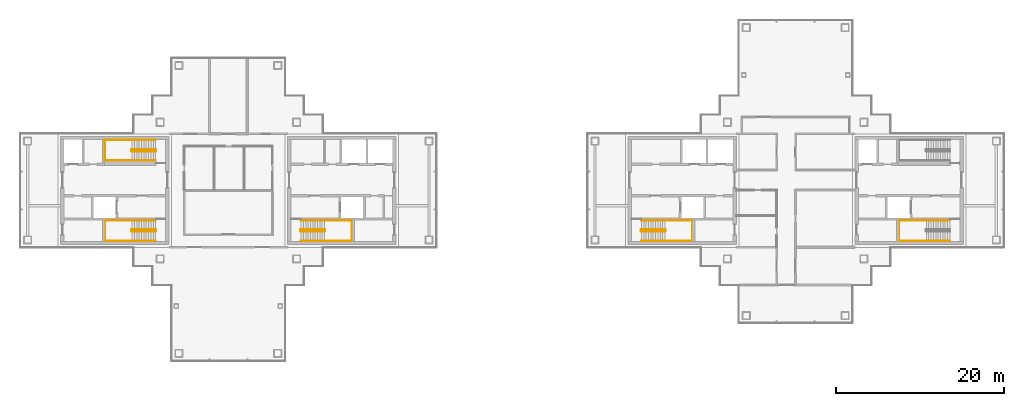
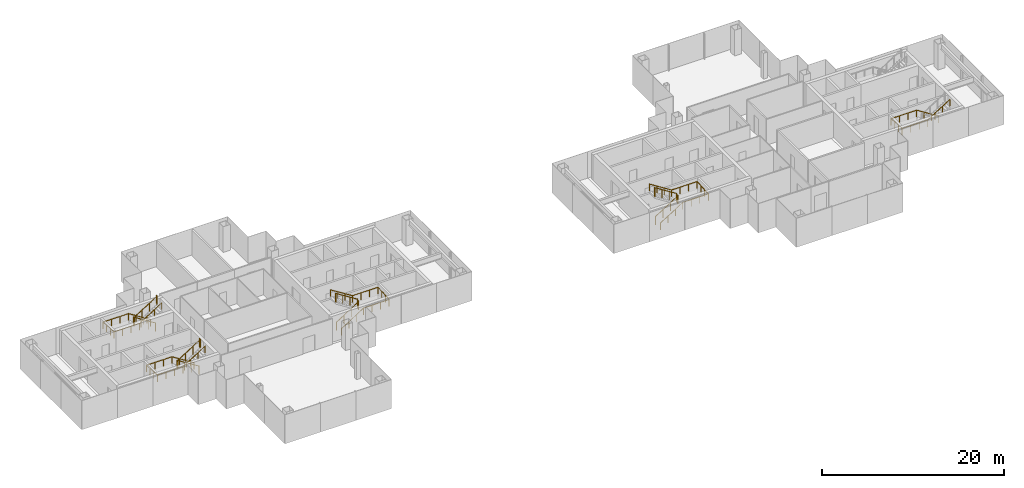
# One storey, part 14 of 15: 9 railings.
"""IFC4 building model written with IfcOpenShell, lengths in metres."""

from ifc_helpers import new_model, si_unit, direction, frame, origin, origin_2d, place, context, subcontext, project, spatial, circle, extrude, material, type_object, element, save


model = new_model("IFC4")

# Units and contexts
model_context = context("Model", 3, precision=1e-05, world=origin(), true_north=direction((0.0, 1.0)))
body_context = subcontext(model_context, "Body", "Model", "MODEL_VIEW")
ifc_project = project(units=[si_unit("LENGTHUNIT", "METRE"), si_unit("AREAUNIT", "SQUARE_METRE"), si_unit("VOLUMEUNIT", "CUBIC_METRE"), si_unit("PLANEANGLEUNIT", "RADIAN"), si_unit("MASSUNIT", "GRAM", prefix="KILO")], contexts=[model_context])

# Site, building, storey
site_placement = place(None, origin())
site = spatial("IfcSite", under=ifc_project, at=site_placement, CompositionType="ELEMENT")
building_placement = place(site_placement, origin())
building = spatial("IfcBuilding", under=site, at=building_placement, Name="Shamsa Quay Exchange Towers", CompositionType="ELEMENT")
storey_placement = place(building_placement, frame((0.0, 0.0, 269.39990234375)))
storey = spatial("IfcBuildingStorey", under=building, at=storey_placement, Name="L65", CompositionType="ELEMENT", Elevation=269.39990234375)

# Railings
ifc_material = material(Name="Stainless steel", Category="steel")
railing_type_1 = type_object("IfcRailingType", Name="STAIR GUARD 1100", PredefinedType="GUARDRAIL", material=ifc_material)
railing_1_placement = place(storey_placement, frame((-25.10009765625, -4.89990234375, 0.177490234375)))
element("IfcRailing", 1, at=railing_1_placement, inside=storey, type_object=railing_type_1, Name="L65 ST1 stair guard 1", PredefinedType="GUARDRAIL", context=body_context, shape_type="SweptSolid", body=[
    extrude(circle(Radius=0.02392578125, at=origin_2d()), frame((0.0, 0.0, 1.076171875), z_axis=(0.844908973607, 0.0, 0.534910110503), x_axis=(0.0, 1.0, 0.0)), (0.0, 0.0, 1.0), 3.31396484375),
    extrude(circle(Radius=0.02392578125, at=origin_2d()), frame((2.800048828125, 0.0, 2.8486328125), z_axis=(0.708833529934, 0.705375805398, 0.0), x_axis=(-0.705375805398, 0.708833529934, 0.0)), (0.0, 0.0, 1.0), 0.070556640625),
    extrude(circle(Radius=0.02392578125, at=origin_2d()), frame((2.85009765625, 0.0498046875, 2.8486328125), z_axis=(0.0, 1.0, 0.0), x_axis=(-1.0, 0.0, 0.0)), (0.0, 0.0, 1.0), 0.150146484375),
    extrude(circle(Radius=0.02392578125, at=origin_2d()), frame((2.85009765625, 0.199951171875, 2.8486328125), z_axis=(-0.262233686654, 0.262233686654, 0.928691007369), x_axis=(-0.707106781187, -0.707106781187, 0.0)), (0.0, 0.0, 1.0), 0.19091796875),
    extrude(circle(Radius=0.02392578125, at=origin_2d()), frame((2.800048828125, 0.25, 3.02587890625), z_axis=(-0.844908973607, 0.0, 0.534910110503), x_axis=(0.0, -1.0, 0.0)), (0.0, 0.0, 1.0), 3.31396484375),
    extrude(circle(Radius=0.02392578125, at=origin_2d()), frame((0.0, 0.25, 4.798828125), z_axis=(-0.24142163986, -0.970420317083, 0.0), x_axis=(0.970420317083, -0.24142163986, 0.0)), (0.0, 0.0, 1.0), 0.206298828125),
    extrude(circle(Radius=0.02392578125, at=origin_2d()), frame((-0.0498046875, 0.0498046875, 4.798828125), z_axis=(0.0, 1.0, 0.0), x_axis=(-1.0, 0.0, 0.0)), (0.0, 0.0, 1.0), 0.150146484375),
    extrude(circle(Radius=0.02099609375, at=origin_2d()), origin(), (0.0, 0.0, 1.0), 1.052001953125),
    extrude(circle(Radius=0.02099609375, at=origin_2d()), frame((0.933349609375, 0.0, 0.5908203125)), (0.0, 0.0, 1.0), 1.052001953125),
    extrude(circle(Radius=0.02099609375, at=origin_2d()), frame((1.86669921875, 0.0, 1.181884765625)), (0.0, 0.0, 1.0), 1.052001953125),
    extrude(circle(Radius=0.02099609375, at=origin_2d()), frame((2.800048828125, 0.0, 1.772705078125)), (0.0, 0.0, 1.0), 1.052001953125),
    extrude(circle(Radius=0.02099609375, at=origin_2d()), frame((2.85009765625, 0.0498046875, 1.772705078125)), (0.0, 0.0, 1.0), 1.052001953125),
    extrude(circle(Radius=0.02099609375, at=origin_2d()), frame((2.85009765625, 0.199951171875, 1.772705078125)), (0.0, 0.0, 1.0), 1.052001953125),
    extrude(circle(Radius=0.02099609375, at=origin_2d()), frame((2.800048828125, 0.25, 1.949951171875)), (0.0, 0.0, 1.0), 1.052001953125),
    extrude(circle(Radius=0.02099609375, at=origin_2d()), frame((1.86669921875, 0.25, 2.540771484375)), (0.0, 0.0, 1.0), 1.052001953125),
    extrude(circle(Radius=0.02099609375, at=origin_2d()), frame((0.933349609375, 0.25, 3.1318359375)), (0.0, 0.0, 1.0), 1.052001953125),
    extrude(circle(Radius=0.02099609375, at=origin_2d()), frame((0.0, 0.25, 3.72265625)), (0.0, 0.0, 1.0), 1.052001953125),
    extrude(circle(Radius=0.02099609375, at=origin_2d()), frame((-0.0498046875, 0.0498046875, 3.72265625)), (0.0, 0.0, 1.0), 1.052001953125),
    extrude(circle(Radius=0.02099609375, at=origin_2d()), frame((-0.0498046875, 0.199951171875, 3.72265625)), (0.0, 0.0, 1.0), 1.052001953125),
])
railing_2_placement = place(storey_placement, frame((-42.39990234375, -4.64990234375, 0.177490234375)))
element("IfcRailing", 2, at=railing_2_placement, inside=storey, type_object=railing_type_1, Name="L65 ST2 stair guard 1", PredefinedType="GUARDRAIL", context=body_context, shape_type="SweptSolid", body=[
    extrude(circle(Radius=0.02392578125, at=origin_2d()), frame((0.0, 0.0, 1.076171875), z_axis=(-0.844908973607, 0.0, 0.534910110503), x_axis=(0.0, -1.0, 0.0)), (0.0, 0.0, 1.0), 3.31396484375),
    extrude(circle(Radius=0.02392578125, at=origin_2d()), frame((-2.800048828125, 0.0, 2.8486328125), z_axis=(-0.707106781187, -0.707106781187, 0.0), x_axis=(0.707106781187, -0.707106781187, 0.0)), (0.0, 0.0, 1.0), 0.07080078125),
    extrude(circle(Radius=0.02392578125, at=origin_2d()), frame((-2.85009765625, -0.050048828125, 2.8486328125), z_axis=(0.0, -1.0, 0.0), x_axis=(1.0, 0.0, 0.0)), (0.0, 0.0, 1.0), 0.150146484375),
    extrude(circle(Radius=0.02392578125, at=origin_2d()), frame((-2.85009765625, -0.2001953125, 2.8486328125), z_axis=(0.262321481514, -0.261041864531, 0.929001929653), x_axis=(0.705375805398, 0.708833529934, 0.0)), (0.0, 0.0, 1.0), 0.190673828125),
    extrude(circle(Radius=0.02392578125, at=origin_2d()), frame((-2.800048828125, -0.25, 3.02587890625), z_axis=(0.844908973607, 0.0, 0.534910110503), x_axis=(0.0, 1.0, 0.0)), (0.0, 0.0, 1.0), 3.31396484375),
    extrude(circle(Radius=0.02392578125, at=origin_2d()), frame((0.0, -0.25, 4.798828125), z_axis=(0.241699205484, 0.970351222016, 0.0), x_axis=(-0.970351222016, 0.241699205484, 0.0)), (0.0, 0.0, 1.0), 0.2060546875),
    extrude(circle(Radius=0.02392578125, at=origin_2d()), frame((0.0498046875, -0.050048828125, 4.798828125), z_axis=(0.0, -1.0, 0.0), x_axis=(1.0, 0.0, 0.0)), (0.0, 0.0, 1.0), 0.150146484375),
    extrude(circle(Radius=0.02099609375, at=origin_2d()), origin(), (0.0, 0.0, 1.0), 1.052001953125),
    extrude(circle(Radius=0.02099609375, at=origin_2d()), frame((-0.933349609375, 0.0, 0.5908203125)), (0.0, 0.0, 1.0), 1.052001953125),
    extrude(circle(Radius=0.02099609375, at=origin_2d()), frame((-1.86669921875, 0.0, 1.181884765625)), (0.0, 0.0, 1.0), 1.052001953125),
    extrude(circle(Radius=0.02099609375, at=origin_2d()), frame((-2.800048828125, 0.0, 1.772705078125)), (0.0, 0.0, 1.0), 1.052001953125),
    extrude(circle(Radius=0.02099609375, at=origin_2d()), frame((-2.85009765625, -0.050048828125, 1.772705078125)), (0.0, 0.0, 1.0), 1.052001953125),
    extrude(circle(Radius=0.02099609375, at=origin_2d()), frame((-2.85009765625, -0.2001953125, 1.772705078125)), (0.0, 0.0, 1.0), 1.052001953125),
    extrude(circle(Radius=0.02099609375, at=origin_2d()), frame((-2.800048828125, -0.25, 1.949951171875)), (0.0, 0.0, 1.0), 1.052001953125),
    extrude(circle(Radius=0.02099609375, at=origin_2d()), frame((-1.86669921875, -0.25, 2.540771484375)), (0.0, 0.0, 1.0), 1.052001953125),
    extrude(circle(Radius=0.02099609375, at=origin_2d()), frame((-0.933349609375, -0.25, 3.1318359375)), (0.0, 0.0, 1.0), 1.052001953125),
    extrude(circle(Radius=0.02099609375, at=origin_2d()), frame((0.0, -0.25, 3.72265625)), (0.0, 0.0, 1.0), 1.052001953125),
    extrude(circle(Radius=0.02099609375, at=origin_2d()), frame((0.0498046875, -0.050048828125, 3.72265625)), (0.0, 0.0, 1.0), 1.052001953125),
    extrude(circle(Radius=0.02099609375, at=origin_2d()), frame((0.0498046875, -0.2001953125, 3.72265625)), (0.0, 0.0, 1.0), 1.052001953125),
])
railing_3_placement = place(storey_placement, frame((-42.39990234375, 4.89990234375, 0.177490234375)))
element("IfcRailing", 3, at=railing_3_placement, inside=storey, type_object=railing_type_1, Name="L65 ST3 stair guard 1", PredefinedType="GUARDRAIL", context=body_context, shape_type="SweptSolid", body=[
    extrude(circle(Radius=0.02392578125, at=origin_2d()), frame((0.0, 0.0, 1.076171875), z_axis=(-0.844908973607, 0.0, 0.534910110503), x_axis=(0.0, -1.0, 0.0)), (0.0, 0.0, 1.0), 3.31396484375),
    extrude(circle(Radius=0.02392578125, at=origin_2d()), frame((-2.800048828125, 0.0, 2.8486328125), z_axis=(-0.708833529934, -0.705375805398, 0.0), x_axis=(0.705375805398, -0.708833529934, 0.0)), (0.0, 0.0, 1.0), 0.070556640625),
    extrude(circle(Radius=0.02392578125, at=origin_2d()), frame((-2.85009765625, -0.0498046875, 2.8486328125), z_axis=(0.0, -1.0, 0.0), x_axis=(1.0, 0.0, 0.0)), (0.0, 0.0, 1.0), 0.150146484375),
    extrude(circle(Radius=0.02392578125, at=origin_2d()), frame((-2.85009765625, -0.199951171875, 2.8486328125), z_axis=(0.262233686654, -0.262233686654, 0.928691007369), x_axis=(0.707106781187, 0.707106781187, 0.0)), (0.0, 0.0, 1.0), 0.19091796875),
    extrude(circle(Radius=0.02392578125, at=origin_2d()), frame((-2.800048828125, -0.25, 3.02587890625), z_axis=(0.844908973607, 0.0, 0.534910110503), x_axis=(0.0, 1.0, 0.0)), (0.0, 0.0, 1.0), 3.31396484375),
    extrude(circle(Radius=0.02392578125, at=origin_2d()), frame((0.0, -0.25, 4.798828125), z_axis=(0.24142163986, 0.970420317083, 0.0), x_axis=(-0.970420317083, 0.24142163986, 0.0)), (0.0, 0.0, 1.0), 0.206298828125),
    extrude(circle(Radius=0.02392578125, at=origin_2d()), frame((0.0498046875, -0.0498046875, 4.798828125), z_axis=(0.0, -1.0, 0.0), x_axis=(1.0, 0.0, 0.0)), (0.0, 0.0, 1.0), 0.150146484375),
    extrude(circle(Radius=0.02099609375, at=origin_2d()), origin(), (0.0, 0.0, 1.0), 1.052001953125),
    extrude(circle(Radius=0.02099609375, at=origin_2d()), frame((-0.933349609375, 0.0, 0.5908203125)), (0.0, 0.0, 1.0), 1.052001953125),
    extrude(circle(Radius=0.02099609375, at=origin_2d()), frame((-1.86669921875, 0.0, 1.181884765625)), (0.0, 0.0, 1.0), 1.052001953125),
    extrude(circle(Radius=0.02099609375, at=origin_2d()), frame((-2.800048828125, 0.0, 1.772705078125)), (0.0, 0.0, 1.0), 1.052001953125),
    extrude(circle(Radius=0.02099609375, at=origin_2d()), frame((-2.85009765625, -0.0498046875, 1.772705078125)), (0.0, 0.0, 1.0), 1.052001953125),
    extrude(circle(Radius=0.02099609375, at=origin_2d()), frame((-2.85009765625, -0.199951171875, 1.772705078125)), (0.0, 0.0, 1.0), 1.052001953125),
    extrude(circle(Radius=0.02099609375, at=origin_2d()), frame((-2.800048828125, -0.25, 1.949951171875)), (0.0, 0.0, 1.0), 1.052001953125),
    extrude(circle(Radius=0.02099609375, at=origin_2d()), frame((-1.86669921875, -0.25, 2.540771484375)), (0.0, 0.0, 1.0), 1.052001953125),
    extrude(circle(Radius=0.02099609375, at=origin_2d()), frame((-0.933349609375, -0.25, 3.1318359375)), (0.0, 0.0, 1.0), 1.052001953125),
    extrude(circle(Radius=0.02099609375, at=origin_2d()), frame((0.0, -0.25, 3.72265625)), (0.0, 0.0, 1.0), 1.052001953125),
    extrude(circle(Radius=0.02099609375, at=origin_2d()), frame((0.0498046875, -0.0498046875, 3.72265625)), (0.0, 0.0, 1.0), 1.052001953125),
    extrude(circle(Radius=0.02099609375, at=origin_2d()), frame((0.0498046875, -0.199951171875, 3.72265625)), (0.0, 0.0, 1.0), 1.052001953125),
])
railing_4_placement = place(storey_placement, frame((15.39990234375, -4.89990234375, 0.177490234375)))
element("IfcRailing", 4, at=railing_4_placement, inside=storey, type_object=railing_type_1, Name="L65 ST4 stair guard 1", PredefinedType="GUARDRAIL", context=body_context, shape_type="SweptSolid", body=[
    extrude(circle(Radius=0.02392578125, at=origin_2d()), frame((0.0, 0.0, 1.076171875), z_axis=(0.844908973607, 0.0, 0.534910110503), x_axis=(0.0, 1.0, 0.0)), (0.0, 0.0, 1.0), 3.31396484375),
    extrude(circle(Radius=0.02392578125, at=origin_2d()), frame((2.800048828125, 0.0, 2.8486328125), z_axis=(0.708833529934, 0.705375805398, 0.0), x_axis=(-0.705375805398, 0.708833529934, 0.0)), (0.0, 0.0, 1.0), 0.070556640625),
    extrude(circle(Radius=0.02392578125, at=origin_2d()), frame((2.85009765625, 0.0498046875, 2.8486328125), z_axis=(0.0, 1.0, 0.0), x_axis=(-1.0, 0.0, 0.0)), (0.0, 0.0, 1.0), 0.150146484375),
    extrude(circle(Radius=0.02392578125, at=origin_2d()), frame((2.85009765625, 0.199951171875, 2.8486328125), z_axis=(-0.262233686654, 0.262233686654, 0.928691007369), x_axis=(-0.707106781187, -0.707106781187, 0.0)), (0.0, 0.0, 1.0), 0.19091796875),
    extrude(circle(Radius=0.02392578125, at=origin_2d()), frame((2.800048828125, 0.25, 3.02587890625), z_axis=(-0.844908973607, 0.0, 0.534910110503), x_axis=(0.0, -1.0, 0.0)), (0.0, 0.0, 1.0), 3.31396484375),
    extrude(circle(Radius=0.02392578125, at=origin_2d()), frame((0.0, 0.25, 4.798828125), z_axis=(-0.24142163986, -0.970420317083, 0.0), x_axis=(0.970420317083, -0.24142163986, 0.0)), (0.0, 0.0, 1.0), 0.206298828125),
    extrude(circle(Radius=0.02392578125, at=origin_2d()), frame((-0.0498046875, 0.0498046875, 4.798828125), z_axis=(0.0, 1.0, 0.0), x_axis=(-1.0, 0.0, 0.0)), (0.0, 0.0, 1.0), 0.150146484375),
    extrude(circle(Radius=0.02099609375, at=origin_2d()), origin(), (0.0, 0.0, 1.0), 1.052001953125),
    extrude(circle(Radius=0.02099609375, at=origin_2d()), frame((0.933349609375, 0.0, 0.5908203125)), (0.0, 0.0, 1.0), 1.052001953125),
    extrude(circle(Radius=0.02099609375, at=origin_2d()), frame((1.86669921875, 0.0, 1.181884765625)), (0.0, 0.0, 1.0), 1.052001953125),
    extrude(circle(Radius=0.02099609375, at=origin_2d()), frame((2.800048828125, 0.0, 1.772705078125)), (0.0, 0.0, 1.0), 1.052001953125),
    extrude(circle(Radius=0.02099609375, at=origin_2d()), frame((2.85009765625, 0.0498046875, 1.772705078125)), (0.0, 0.0, 1.0), 1.052001953125),
    extrude(circle(Radius=0.02099609375, at=origin_2d()), frame((2.85009765625, 0.199951171875, 1.772705078125)), (0.0, 0.0, 1.0), 1.052001953125),
    extrude(circle(Radius=0.02099609375, at=origin_2d()), frame((2.800048828125, 0.25, 1.949951171875)), (0.0, 0.0, 1.0), 1.052001953125),
    extrude(circle(Radius=0.02099609375, at=origin_2d()), frame((1.86669921875, 0.25, 2.540771484375)), (0.0, 0.0, 1.0), 1.052001953125),
    extrude(circle(Radius=0.02099609375, at=origin_2d()), frame((0.933349609375, 0.25, 3.1318359375)), (0.0, 0.0, 1.0), 1.052001953125),
    extrude(circle(Radius=0.02099609375, at=origin_2d()), frame((0.0, 0.25, 3.72265625)), (0.0, 0.0, 1.0), 1.052001953125),
    extrude(circle(Radius=0.02099609375, at=origin_2d()), frame((-0.0498046875, 0.0498046875, 3.72265625)), (0.0, 0.0, 1.0), 1.052001953125),
    extrude(circle(Radius=0.02099609375, at=origin_2d()), frame((-0.0498046875, 0.199951171875, 3.72265625)), (0.0, 0.0, 1.0), 1.052001953125),
])
railing_type_2 = type_object("IfcRailingType", Name="STAIR HANDRAIL 900", PredefinedType="HANDRAIL", material=ifc_material)
railing_5_placement = place(storey_placement, frame((-25.10009765625, -6.0, 0.177490234375)))
element("IfcRailing", 5, at=railing_5_placement, inside=storey, type_object=railing_type_2, Name="L65 ST1 stair handrail 1", PredefinedType="HANDRAIL", context=body_context, shape_type="SweptSolid", body=[
    extrude(circle(Radius=0.02392578125, at=origin_2d()), frame((0.0, 0.0, 0.8759765625), z_axis=(0.844908973607, 0.0, 0.534910110503), x_axis=(0.0, 1.0, 0.0)), (0.0, 0.0, 1.0), 3.31396484375),
    extrude(circle(Radius=0.02392578125, at=origin_2d()), frame((2.800048828125, 0.0, 2.6484375), z_axis=(1.0, 0.0, 0.0), x_axis=(0.0, 1.0, 0.0)), (0.0, 0.0, 1.0), 3.25),
    extrude(circle(Radius=0.02392578125, at=origin_2d()), frame((6.050048828125, 0.0, 2.6484375), z_axis=(0.0, 0.997393199914, 0.07215819264), x_axis=(-1.0, 0.0, 0.0)), (0.0, 0.0, 1.0), 2.456298828125),
    extrude(circle(Radius=0.02392578125, at=origin_2d()), frame((6.050048828125, 2.449951171875, 2.82568359375), z_axis=(-1.0, 0.0, 0.0), x_axis=(0.0, -1.0, 0.0)), (0.0, 0.0, 1.0), 3.25),
    extrude(circle(Radius=0.02392578125, at=origin_2d()), frame((2.800048828125, 2.449951171875, 2.82568359375), z_axis=(-0.844908973607, 0.0, 0.534910110503), x_axis=(0.0, -1.0, 0.0)), (0.0, 0.0, 1.0), 3.31396484375),
    extrude(circle(Radius=0.02099609375, at=origin_2d()), origin(), (0.0, 0.0, 1.0), 0.851806640625),
    extrude(circle(Radius=0.02099609375, at=origin_2d()), frame((0.933349609375, 0.0, 0.5908203125)), (0.0, 0.0, 1.0), 0.851806640625),
    extrude(circle(Radius=0.02099609375, at=origin_2d()), frame((1.86669921875, 0.0, 1.181884765625)), (0.0, 0.0, 1.0), 0.851806640625),
    extrude(circle(Radius=0.02099609375, at=origin_2d()), frame((2.800048828125, 0.0, 1.772705078125)), (0.0, 0.0, 1.0), 0.851806640625),
    extrude(circle(Radius=0.02099609375, at=origin_2d()), frame((3.88330078125, 0.0, 1.772705078125)), (0.0, 0.0, 1.0), 0.851806640625),
    extrude(circle(Radius=0.02099609375, at=origin_2d()), frame((4.966796875, 0.0, 1.772705078125)), (0.0, 0.0, 1.0), 0.851806640625),
    extrude(circle(Radius=0.02099609375, at=origin_2d()), frame((6.050048828125, 0.0, 1.772705078125)), (0.0, 0.0, 1.0), 0.851806640625),
    extrude(circle(Radius=0.02099609375, at=origin_2d()), frame((6.050048828125, 0.816650390625, 1.831787109375)), (0.0, 0.0, 1.0), 0.851806640625),
    extrude(circle(Radius=0.02099609375, at=origin_2d()), frame((6.050048828125, 1.63330078125, 1.890869140625)), (0.0, 0.0, 1.0), 0.851806640625),
    extrude(circle(Radius=0.02099609375, at=origin_2d()), frame((6.050048828125, 2.449951171875, 1.949951171875)), (0.0, 0.0, 1.0), 0.851806640625),
    extrude(circle(Radius=0.02099609375, at=origin_2d()), frame((4.966796875, 2.449951171875, 1.949951171875)), (0.0, 0.0, 1.0), 0.851806640625),
    extrude(circle(Radius=0.02099609375, at=origin_2d()), frame((3.88330078125, 2.449951171875, 1.949951171875)), (0.0, 0.0, 1.0), 0.851806640625),
    extrude(circle(Radius=0.02099609375, at=origin_2d()), frame((2.800048828125, 2.449951171875, 1.949951171875)), (0.0, 0.0, 1.0), 0.851806640625),
    extrude(circle(Radius=0.02099609375, at=origin_2d()), frame((1.86669921875, 2.449951171875, 2.540771484375)), (0.0, 0.0, 1.0), 0.851806640625),
    extrude(circle(Radius=0.02099609375, at=origin_2d()), frame((0.933349609375, 2.449951171875, 3.1318359375)), (0.0, 0.0, 1.0), 0.851806640625),
    extrude(circle(Radius=0.02099609375, at=origin_2d()), frame((0.0, 2.449951171875, 3.72265625)), (0.0, 0.0, 1.0), 0.851806640625),
])
railing_6_placement = place(storey_placement, frame((-42.39990234375, -3.550048828125, 0.177490234375)))
element("IfcRailing", 6, at=railing_6_placement, inside=storey, type_object=railing_type_2, Name="L65 ST2 stair handrail 1", PredefinedType="HANDRAIL", context=body_context, shape_type="SweptSolid", body=[
    extrude(circle(Radius=0.02392578125, at=origin_2d()), frame((0.0, 0.0, 0.8759765625), z_axis=(-0.844908973607, 0.0, 0.534910110503), x_axis=(0.0, -1.0, 0.0)), (0.0, 0.0, 1.0), 3.31396484375),
    extrude(circle(Radius=0.02392578125, at=origin_2d()), frame((-2.800048828125, 0.0, 2.6484375), z_axis=(-1.0, 0.0, 0.0), x_axis=(0.0, -1.0, 0.0)), (0.0, 0.0, 1.0), 3.25),
    extrude(circle(Radius=0.02392578125, at=origin_2d()), frame((-6.050048828125, 0.0, 2.6484375), z_axis=(0.0, -0.997393199914, 0.07215819264), x_axis=(1.0, 0.0, 0.0)), (0.0, 0.0, 1.0), 2.456298828125),
    extrude(circle(Radius=0.02392578125, at=origin_2d()), frame((-6.050048828125, -2.449951171875, 2.82568359375), z_axis=(1.0, 0.0, 0.0), x_axis=(0.0, 1.0, 0.0)), (0.0, 0.0, 1.0), 3.25),
    extrude(circle(Radius=0.02392578125, at=origin_2d()), frame((-2.800048828125, -2.449951171875, 2.82568359375), z_axis=(0.844908973607, 0.0, 0.534910110503), x_axis=(0.0, 1.0, 0.0)), (0.0, 0.0, 1.0), 3.31396484375),
    extrude(circle(Radius=0.02099609375, at=origin_2d()), origin(), (0.0, 0.0, 1.0), 0.851806640625),
    extrude(circle(Radius=0.02099609375, at=origin_2d()), frame((-0.933349609375, 0.0, 0.5908203125)), (0.0, 0.0, 1.0), 0.851806640625),
    extrude(circle(Radius=0.02099609375, at=origin_2d()), frame((-1.86669921875, 0.0, 1.181884765625)), (0.0, 0.0, 1.0), 0.851806640625),
    extrude(circle(Radius=0.02099609375, at=origin_2d()), frame((-2.800048828125, 0.0, 1.772705078125)), (0.0, 0.0, 1.0), 0.851806640625),
    extrude(circle(Radius=0.02099609375, at=origin_2d()), frame((-3.88330078125, 0.0, 1.772705078125)), (0.0, 0.0, 1.0), 0.851806640625),
    extrude(circle(Radius=0.02099609375, at=origin_2d()), frame((-4.966796875, 0.0, 1.772705078125)), (0.0, 0.0, 1.0), 0.851806640625),
    extrude(circle(Radius=0.02099609375, at=origin_2d()), frame((-6.050048828125, 0.0, 1.772705078125)), (0.0, 0.0, 1.0), 0.851806640625),
    extrude(circle(Radius=0.02099609375, at=origin_2d()), frame((-6.050048828125, -0.816650390625, 1.831787109375)), (0.0, 0.0, 1.0), 0.851806640625),
    extrude(circle(Radius=0.02099609375, at=origin_2d()), frame((-6.050048828125, -1.63330078125, 1.890869140625)), (0.0, 0.0, 1.0), 0.851806640625),
    extrude(circle(Radius=0.02099609375, at=origin_2d()), frame((-6.050048828125, -2.449951171875, 1.949951171875)), (0.0, 0.0, 1.0), 0.851806640625),
    extrude(circle(Radius=0.02099609375, at=origin_2d()), frame((-4.966796875, -2.449951171875, 1.949951171875)), (0.0, 0.0, 1.0), 0.851806640625),
    extrude(circle(Radius=0.02099609375, at=origin_2d()), frame((-3.88330078125, -2.449951171875, 1.949951171875)), (0.0, 0.0, 1.0), 0.851806640625),
    extrude(circle(Radius=0.02099609375, at=origin_2d()), frame((-2.800048828125, -2.449951171875, 1.949951171875)), (0.0, 0.0, 1.0), 0.851806640625),
    extrude(circle(Radius=0.02099609375, at=origin_2d()), frame((-1.86669921875, -2.449951171875, 2.540771484375)), (0.0, 0.0, 1.0), 0.851806640625),
    extrude(circle(Radius=0.02099609375, at=origin_2d()), frame((-0.933349609375, -2.449951171875, 3.1318359375)), (0.0, 0.0, 1.0), 0.851806640625),
    extrude(circle(Radius=0.02099609375, at=origin_2d()), frame((0.0, -2.449951171875, 3.72265625)), (0.0, 0.0, 1.0), 0.851806640625),
])
railing_7_placement = place(storey_placement, frame((-42.39990234375, 6.0, 0.177490234375)))
element("IfcRailing", 7, at=railing_7_placement, inside=storey, type_object=railing_type_2, Name="L65 ST3 stair handrail 1", PredefinedType="HANDRAIL", context=body_context, shape_type="SweptSolid", body=[
    extrude(circle(Radius=0.02392578125, at=origin_2d()), frame((0.0, 0.0, 0.8759765625), z_axis=(-0.844908973607, 0.0, 0.534910110503), x_axis=(0.0, -1.0, 0.0)), (0.0, 0.0, 1.0), 3.31396484375),
    extrude(circle(Radius=0.02392578125, at=origin_2d()), frame((-2.800048828125, 0.0, 2.6484375), z_axis=(-1.0, 0.0, 0.0), x_axis=(0.0, -1.0, 0.0)), (0.0, 0.0, 1.0), 3.25),
    extrude(circle(Radius=0.02392578125, at=origin_2d()), frame((-6.050048828125, 0.0, 2.6484375), z_axis=(0.0, -0.997393199914, 0.07215819264), x_axis=(1.0, 0.0, 0.0)), (0.0, 0.0, 1.0), 2.456298828125),
    extrude(circle(Radius=0.02392578125, at=origin_2d()), frame((-6.050048828125, -2.449951171875, 2.82568359375), z_axis=(1.0, 0.0, 0.0), x_axis=(0.0, 1.0, 0.0)), (0.0, 0.0, 1.0), 3.25),
    extrude(circle(Radius=0.02392578125, at=origin_2d()), frame((-2.800048828125, -2.449951171875, 2.82568359375), z_axis=(0.844908973607, 0.0, 0.534910110503), x_axis=(0.0, 1.0, 0.0)), (0.0, 0.0, 1.0), 3.31396484375),
    extrude(circle(Radius=0.02099609375, at=origin_2d()), origin(), (0.0, 0.0, 1.0), 0.851806640625),
    extrude(circle(Radius=0.02099609375, at=origin_2d()), frame((-0.933349609375, 0.0, 0.5908203125)), (0.0, 0.0, 1.0), 0.851806640625),
    extrude(circle(Radius=0.02099609375, at=origin_2d()), frame((-1.86669921875, 0.0, 1.181884765625)), (0.0, 0.0, 1.0), 0.851806640625),
    extrude(circle(Radius=0.02099609375, at=origin_2d()), frame((-2.800048828125, 0.0, 1.772705078125)), (0.0, 0.0, 1.0), 0.851806640625),
    extrude(circle(Radius=0.02099609375, at=origin_2d()), frame((-3.88330078125, 0.0, 1.772705078125)), (0.0, 0.0, 1.0), 0.851806640625),
    extrude(circle(Radius=0.02099609375, at=origin_2d()), frame((-4.966796875, 0.0, 1.772705078125)), (0.0, 0.0, 1.0), 0.851806640625),
    extrude(circle(Radius=0.02099609375, at=origin_2d()), frame((-6.050048828125, 0.0, 1.772705078125)), (0.0, 0.0, 1.0), 0.851806640625),
    extrude(circle(Radius=0.02099609375, at=origin_2d()), frame((-6.050048828125, -0.816650390625, 1.831787109375)), (0.0, 0.0, 1.0), 0.851806640625),
    extrude(circle(Radius=0.02099609375, at=origin_2d()), frame((-6.050048828125, -1.63330078125, 1.890869140625)), (0.0, 0.0, 1.0), 0.851806640625),
    extrude(circle(Radius=0.02099609375, at=origin_2d()), frame((-6.050048828125, -2.449951171875, 1.949951171875)), (0.0, 0.0, 1.0), 0.851806640625),
    extrude(circle(Radius=0.02099609375, at=origin_2d()), frame((-4.966796875, -2.449951171875, 1.949951171875)), (0.0, 0.0, 1.0), 0.851806640625),
    extrude(circle(Radius=0.02099609375, at=origin_2d()), frame((-3.88330078125, -2.449951171875, 1.949951171875)), (0.0, 0.0, 1.0), 0.851806640625),
    extrude(circle(Radius=0.02099609375, at=origin_2d()), frame((-2.800048828125, -2.449951171875, 1.949951171875)), (0.0, 0.0, 1.0), 0.851806640625),
    extrude(circle(Radius=0.02099609375, at=origin_2d()), frame((-1.86669921875, -2.449951171875, 2.540771484375)), (0.0, 0.0, 1.0), 0.851806640625),
    extrude(circle(Radius=0.02099609375, at=origin_2d()), frame((-0.933349609375, -2.449951171875, 3.1318359375)), (0.0, 0.0, 1.0), 0.851806640625),
    extrude(circle(Radius=0.02099609375, at=origin_2d()), frame((0.0, -2.449951171875, 3.72265625)), (0.0, 0.0, 1.0), 0.851806640625),
])
railing_8_placement = place(storey_placement, frame((15.39990234375, -6.0, 0.177490234375)))
element("IfcRailing", 8, at=railing_8_placement, inside=storey, type_object=railing_type_2, Name="L65 ST4 stair handrail 1", PredefinedType="HANDRAIL", context=body_context, shape_type="SweptSolid", body=[
    extrude(circle(Radius=0.02392578125, at=origin_2d()), frame((0.0, 0.0, 0.8759765625), z_axis=(0.844908973607, 0.0, 0.534910110503), x_axis=(0.0, 1.0, 0.0)), (0.0, 0.0, 1.0), 3.31396484375),
    extrude(circle(Radius=0.02392578125, at=origin_2d()), frame((2.800048828125, 0.0, 2.6484375), z_axis=(1.0, 0.0, 0.0), x_axis=(0.0, 1.0, 0.0)), (0.0, 0.0, 1.0), 3.25),
    extrude(circle(Radius=0.02392578125, at=origin_2d()), frame((6.050048828125, 0.0, 2.6484375), z_axis=(0.0, 0.997393199914, 0.07215819264), x_axis=(-1.0, 0.0, 0.0)), (0.0, 0.0, 1.0), 2.456298828125),
    extrude(circle(Radius=0.02392578125, at=origin_2d()), frame((6.050048828125, 2.449951171875, 2.82568359375), z_axis=(-1.0, 0.0, 0.0), x_axis=(0.0, -1.0, 0.0)), (0.0, 0.0, 1.0), 3.25),
    extrude(circle(Radius=0.02392578125, at=origin_2d()), frame((2.800048828125, 2.449951171875, 2.82568359375), z_axis=(-0.844908973607, 0.0, 0.534910110503), x_axis=(0.0, -1.0, 0.0)), (0.0, 0.0, 1.0), 3.31396484375),
    extrude(circle(Radius=0.02099609375, at=origin_2d()), origin(), (0.0, 0.0, 1.0), 0.851806640625),
    extrude(circle(Radius=0.02099609375, at=origin_2d()), frame((0.933349609375, 0.0, 0.5908203125)), (0.0, 0.0, 1.0), 0.851806640625),
    extrude(circle(Radius=0.02099609375, at=origin_2d()), frame((1.86669921875, 0.0, 1.181884765625)), (0.0, 0.0, 1.0), 0.851806640625),
    extrude(circle(Radius=0.02099609375, at=origin_2d()), frame((2.800048828125, 0.0, 1.772705078125)), (0.0, 0.0, 1.0), 0.851806640625),
    extrude(circle(Radius=0.02099609375, at=origin_2d()), frame((3.88330078125, 0.0, 1.772705078125)), (0.0, 0.0, 1.0), 0.851806640625),
    extrude(circle(Radius=0.02099609375, at=origin_2d()), frame((4.966796875, 0.0, 1.772705078125)), (0.0, 0.0, 1.0), 0.851806640625),
    extrude(circle(Radius=0.02099609375, at=origin_2d()), frame((6.050048828125, 0.0, 1.772705078125)), (0.0, 0.0, 1.0), 0.851806640625),
    extrude(circle(Radius=0.02099609375, at=origin_2d()), frame((6.050048828125, 0.816650390625, 1.831787109375)), (0.0, 0.0, 1.0), 0.851806640625),
    extrude(circle(Radius=0.02099609375, at=origin_2d()), frame((6.050048828125, 1.63330078125, 1.890869140625)), (0.0, 0.0, 1.0), 0.851806640625),
    extrude(circle(Radius=0.02099609375, at=origin_2d()), frame((6.050048828125, 2.449951171875, 1.949951171875)), (0.0, 0.0, 1.0), 0.851806640625),
    extrude(circle(Radius=0.02099609375, at=origin_2d()), frame((4.966796875, 2.449951171875, 1.949951171875)), (0.0, 0.0, 1.0), 0.851806640625),
    extrude(circle(Radius=0.02099609375, at=origin_2d()), frame((3.88330078125, 2.449951171875, 1.949951171875)), (0.0, 0.0, 1.0), 0.851806640625),
    extrude(circle(Radius=0.02099609375, at=origin_2d()), frame((2.800048828125, 2.449951171875, 1.949951171875)), (0.0, 0.0, 1.0), 0.851806640625),
    extrude(circle(Radius=0.02099609375, at=origin_2d()), frame((1.86669921875, 2.449951171875, 2.540771484375)), (0.0, 0.0, 1.0), 0.851806640625),
    extrude(circle(Radius=0.02099609375, at=origin_2d()), frame((0.933349609375, 2.449951171875, 3.1318359375)), (0.0, 0.0, 1.0), 0.851806640625),
    extrude(circle(Radius=0.02099609375, at=origin_2d()), frame((0.0, 2.449951171875, 3.72265625)), (0.0, 0.0, 1.0), 0.851806640625),
])
railing_9_placement = place(storey_placement, frame((52.10009765625, -3.550048828125, 0.177490234375)))
element("IfcRailing", 9, at=railing_9_placement, inside=storey, type_object=railing_type_2, Name="L65 ST5 stair handrail 1", PredefinedType="HANDRAIL", context=body_context, shape_type="SweptSolid", body=[
    extrude(circle(Radius=0.02392578125, at=origin_2d()), frame((0.0, 0.0, 0.8759765625), z_axis=(-0.844908973607, 0.0, 0.534910110503), x_axis=(0.0, -1.0, 0.0)), (0.0, 0.0, 1.0), 3.31396484375),
    extrude(circle(Radius=0.02392578125, at=origin_2d()), frame((-2.800048828125, 0.0, 2.6484375), z_axis=(-1.0, 0.0, 0.0), x_axis=(0.0, -1.0, 0.0)), (0.0, 0.0, 1.0), 3.25),
    extrude(circle(Radius=0.02392578125, at=origin_2d()), frame((-6.050048828125, 0.0, 2.6484375), z_axis=(0.0, -0.997393199914, 0.07215819264), x_axis=(1.0, 0.0, 0.0)), (0.0, 0.0, 1.0), 2.456298828125),
    extrude(circle(Radius=0.02392578125, at=origin_2d()), frame((-6.050048828125, -2.449951171875, 2.82568359375), z_axis=(1.0, 0.0, 0.0), x_axis=(0.0, 1.0, 0.0)), (0.0, 0.0, 1.0), 3.25),
    extrude(circle(Radius=0.02392578125, at=origin_2d()), frame((-2.800048828125, -2.449951171875, 2.82568359375), z_axis=(0.844908973607, 0.0, 0.534910110503), x_axis=(0.0, 1.0, 0.0)), (0.0, 0.0, 1.0), 3.31396484375),
    extrude(circle(Radius=0.02099609375, at=origin_2d()), origin(), (0.0, 0.0, 1.0), 0.851806640625),
    extrude(circle(Radius=0.02099609375, at=origin_2d()), frame((-0.933349609375, 0.0, 0.5908203125)), (0.0, 0.0, 1.0), 0.851806640625),
    extrude(circle(Radius=0.02099609375, at=origin_2d()), frame((-1.86669921875, 0.0, 1.181884765625)), (0.0, 0.0, 1.0), 0.851806640625),
    extrude(circle(Radius=0.02099609375, at=origin_2d()), frame((-2.800048828125, 0.0, 1.772705078125)), (0.0, 0.0, 1.0), 0.851806640625),
    extrude(circle(Radius=0.02099609375, at=origin_2d()), frame((-3.88330078125, 0.0, 1.772705078125)), (0.0, 0.0, 1.0), 0.851806640625),
    extrude(circle(Radius=0.02099609375, at=origin_2d()), frame((-4.966796875, 0.0, 1.772705078125)), (0.0, 0.0, 1.0), 0.851806640625),
    extrude(circle(Radius=0.02099609375, at=origin_2d()), frame((-6.050048828125, 0.0, 1.772705078125)), (0.0, 0.0, 1.0), 0.851806640625),
    extrude(circle(Radius=0.02099609375, at=origin_2d()), frame((-6.050048828125, -0.816650390625, 1.831787109375)), (0.0, 0.0, 1.0), 0.851806640625),
    extrude(circle(Radius=0.02099609375, at=origin_2d()), frame((-6.050048828125, -1.63330078125, 1.890869140625)), (0.0, 0.0, 1.0), 0.851806640625),
    extrude(circle(Radius=0.02099609375, at=origin_2d()), frame((-6.050048828125, -2.449951171875, 1.949951171875)), (0.0, 0.0, 1.0), 0.851806640625),
    extrude(circle(Radius=0.02099609375, at=origin_2d()), frame((-4.966796875, -2.449951171875, 1.949951171875)), (0.0, 0.0, 1.0), 0.851806640625),
    extrude(circle(Radius=0.02099609375, at=origin_2d()), frame((-3.88330078125, -2.449951171875, 1.949951171875)), (0.0, 0.0, 1.0), 0.851806640625),
    extrude(circle(Radius=0.02099609375, at=origin_2d()), frame((-2.800048828125, -2.449951171875, 1.949951171875)), (0.0, 0.0, 1.0), 0.851806640625),
    extrude(circle(Radius=0.02099609375, at=origin_2d()), frame((-1.86669921875, -2.449951171875, 2.540771484375)), (0.0, 0.0, 1.0), 0.851806640625),
    extrude(circle(Radius=0.02099609375, at=origin_2d()), frame((-0.933349609375, -2.449951171875, 3.1318359375)), (0.0, 0.0, 1.0), 0.851806640625),
    extrude(circle(Radius=0.02099609375, at=origin_2d()), frame((0.0, -2.449951171875, 3.72265625)), (0.0, 0.0, 1.0), 0.851806640625),
])

save(model, "model.ifc")
